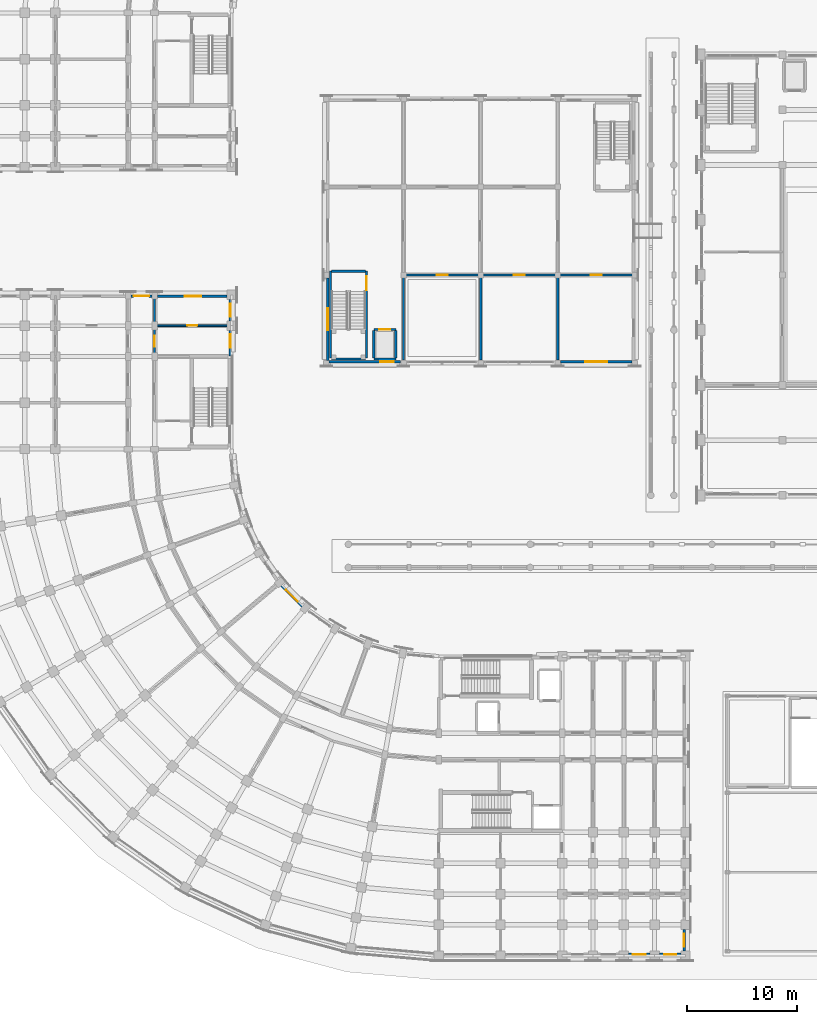
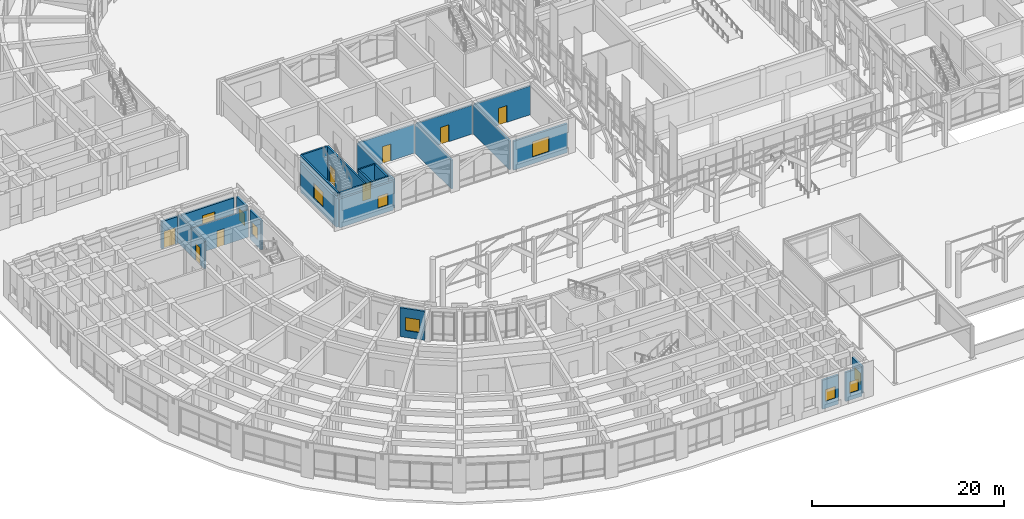
# One storey, part 93 of 135: 28 walls, 10 windows, 8 doors, 18 openings.
"""IFC4 building model written with IfcOpenShell, lengths in metres."""

from ifc_helpers import new_model, si_unit, direction, frame, frame_2d, origin, place, context, subcontext, project, spatial, rectangle, extrude, material, layer, layer_set, type_object, element, fill, save


model = new_model("IFC4")

# Units and contexts
model_context = context("Model", 3, precision=1e-05, world=origin(), true_north=direction((0.0, 1.0)))
body_context = subcontext(model_context, "Body", "Model", "MODEL_VIEW")
ifc_project = project(units=[si_unit("LENGTHUNIT", "METRE"), si_unit("AREAUNIT", "SQUARE_METRE"), si_unit("VOLUMEUNIT", "CUBIC_METRE"), si_unit("PLANEANGLEUNIT", "RADIAN"), si_unit("MASSUNIT", "GRAM", prefix="KILO")], contexts=[model_context])

# Site, building, storey
site_placement = place(None, origin())
site = spatial("IfcSite", under=ifc_project, at=site_placement, CompositionType="ELEMENT")
building_placement = place(site_placement, origin())
building = spatial("IfcBuilding", under=site, at=building_placement, Name="Kiranvali Square Residences", CompositionType="ELEMENT")
storey_placement = place(building_placement, origin())
storey = spatial("IfcBuildingStorey", under=building, at=storey_placement, Name="L00", CompositionType="ELEMENT", Elevation=0.0)

# Wall, opening, door
ifc_material_1 = material(Name="Autoclaved aerated concrete blockwork masonry", Category="masonry")
ifc_layer_1 = layer(ifc_material_1, 0.199951171875)
ifc_layer_set_1 = layer_set([ifc_layer_1], Name="Autoclaved aerated concrete blockwork masonry")
wall_type_1 = type_object("IfcWallType", Name="WL-COR-200", PredefinedType="STANDARD", material=ifc_layer_set_1)
wall_1_placement = place(storey_placement, frame((22.39990234375, 56.60009765625, 0.0), z_axis=(0.0, 0.0, 1.0), x_axis=(0.0, 1.0, 0.0)))
wall_1 = element("IfcWall", 1, at=wall_1_placement, inside=storey, type_object=wall_type_1, Name="L00 architectural wall WL-L00-C-A2CI-0", PredefinedType="STANDARD", context=body_context, shape_type="SweptSolid", body=[
    extrude(rectangle(XDim=2.7998046875, YDim=0.199951171875, at=frame_2d((1.39990234375, 0.0))), origin(), (0.0, 0.0, 1.0), 3.491943359375),
])
opening_1_placement = place(wall_1_placement, frame((0.89990234375, 0.0, 0.0)))
opening_1 = element("IfcOpeningElement", 2, at=opening_1_placement, cuts=wall_1, Name="Opening FD-APT-60", PredefinedType="OPENING", context=body_context, shape_type="SweptSolid", body=[
    extrude(rectangle(XDim=1.0, YDim=2.14990234375, at=frame_2d((0.5, 1.074951171875))), frame((0.0, 0.10986328125, 0.0), z_axis=(0.0, -1.0, 0.0), x_axis=(1.0, 0.0, 0.0)), (0.0, 0.0, 1.0), 0.219970703125),
])
ifc_material_2 = material(Name="Fire-rated acoustic hardwood and mineral-core door assembly", Category="wood")
door_type_1 = type_object("IfcDoorType", Name="DR-APT-1000", OperationType="NOTDEFINED", PredefinedType="DOOR", material=ifc_material_2)
door_1_placement = place(opening_1_placement, origin())
door_1 = element("IfcDoor", 3, at=door_1_placement, inside=storey, type_object=door_type_1, Name="L00 door DR-L00-1781 (DR-APT-1000)", OperationType="SINGLE_SWING_LEFT", OverallHeight=2.14990234375, OverallWidth=1.0, PredefinedType="DOOR", context=body_context, shape_type="SweptSolid", body=[
    extrude(rectangle(XDim=1.0, YDim=2.14990234375, at=frame_2d((0.5, 1.074951171875))), frame((0.0, 0.02490234375, 0.0), z_axis=(0.0, -1.0, 0.0), x_axis=(1.0, 0.0, 0.0)), (0.0, 0.0, 1.0), 0.050048828125),
])
fill(opening_1, door_1)

# Wall
wall_2_placement = place(storey_placement, frame((22.39990234375, 59.39990234375, 0.0), z_axis=(0.0, 0.0, 1.0), x_axis=(0.0, 1.0, 0.0)))
element("IfcWall", 4, at=wall_2_placement, inside=storey, type_object=wall_type_1, Name="L00 architectural wall WL-L00-C-A2CI-1", PredefinedType="STANDARD", context=body_context, shape_type="SweptSolid", body=[
    extrude(rectangle(XDim=2.800048828125, YDim=0.199951171875, at=frame_2d((1.39990234375, 0.0))), origin(), (0.0, 0.0, 1.0), 3.491943359375),
])

# Wall, opening, door
wall_3_placement = place(storey_placement, frame((45.14990234375, 64.0, 0.0), z_axis=(0.0, 0.0, 1.0), x_axis=(1.0, 0.0, 0.0)))
wall_3 = element("IfcWall", 5, at=wall_3_placement, inside=storey, type_object=wall_type_1, Name="L00 architectural wall WL-NR-L00-Y0-1", PredefinedType="STANDARD", context=body_context, shape_type="SweptSolid", body=[
    extrude(rectangle(XDim=6.7001953125, YDim=0.199951171875, at=frame_2d((3.35009765625, 0.0))), origin(), (0.0, 0.0, 1.0), 3.672119140625),
])
opening_2_placement = place(wall_3_placement, frame((2.85009765625, 0.0, 0.0)))
opening_2 = element("IfcOpeningElement", 6, at=opening_2_placement, cuts=wall_3, Name="Opening FD-APT-60", PredefinedType="OPENING", context=body_context, shape_type="SweptSolid", body=[
    extrude(rectangle(XDim=1.0, YDim=2.14990234375, at=frame_2d((0.5, 1.074951171875))), frame((0.0, 0.10986328125, 0.0), z_axis=(0.0, -1.0, 0.0), x_axis=(1.0, 0.0, 0.0)), (0.0, 0.0, 1.0), 0.219970703125),
])
door_2_placement = place(opening_2_placement, frame((1.0, 0.0, 0.0), z_axis=(0.0, 0.0, 1.0), x_axis=(-1.0, 0.0, 0.0)))
door_2 = element("IfcDoor", 7, at=door_2_placement, inside=storey, type_object=door_type_1, Name="L00 door DR-L00-2310 (DR-APT-1000)", OperationType="SINGLE_SWING_RIGHT", OverallHeight=2.14990234375, OverallWidth=1.0, PredefinedType="DOOR", context=body_context, shape_type="SweptSolid", body=[
    extrude(rectangle(XDim=1.0, YDim=2.14990234375, at=frame_2d((0.5, 1.074951171875))), frame((0.0, 0.02490234375, 0.0), z_axis=(0.0, -1.0, 0.0), x_axis=(1.0, 0.0, 0.0)), (0.0, 0.0, 1.0), 0.050048828125),
])
fill(opening_2, door_2)

wall_4_placement = place(storey_placement, frame((52.14990234375, 64.0, 0.0), z_axis=(0.0, 0.0, 1.0), x_axis=(1.0, 0.0, 0.0)))
wall_4 = element("IfcWall", 8, at=wall_4_placement, inside=storey, type_object=wall_type_1, Name="L00 architectural wall WL-NR-L00-Y0-2", PredefinedType="STANDARD", context=body_context, shape_type="SweptSolid", body=[
    extrude(rectangle(XDim=6.7001953125, YDim=0.199951171875, at=frame_2d((3.35009765625, 0.0))), origin(), (0.0, 0.0, 1.0), 3.672119140625),
])
opening_3_placement = place(wall_4_placement, frame((2.85009765625, 0.0, 0.0)))
opening_3 = element("IfcOpeningElement", 9, at=opening_3_placement, cuts=wall_4, Name="Opening FD-APT-60", PredefinedType="OPENING", context=body_context, shape_type="SweptSolid", body=[
    extrude(rectangle(XDim=1.0, YDim=2.14990234375, at=frame_2d((0.5, 1.074951171875))), frame((0.0, 0.10986328125, 0.0), z_axis=(0.0, -1.0, 0.0), x_axis=(1.0, 0.0, 0.0)), (0.0, 0.0, 1.0), 0.219970703125),
])
door_3_placement = place(opening_3_placement, origin())
door_3 = element("IfcDoor", 10, at=door_3_placement, inside=storey, type_object=door_type_1, Name="L00 door DR-L00-2311 (DR-APT-1000)", OperationType="SINGLE_SWING_LEFT", OverallHeight=2.14990234375, OverallWidth=1.0, PredefinedType="DOOR", context=body_context, shape_type="SweptSolid", body=[
    extrude(rectangle(XDim=1.0, YDim=2.14990234375, at=frame_2d((0.5, 1.074951171875))), frame((0.0, 0.02490234375, 0.0), z_axis=(0.0, -1.0, 0.0), x_axis=(1.0, 0.0, 0.0)), (0.0, 0.0, 1.0), 0.050048828125),
])
fill(opening_3, door_3)

wall_5_placement = place(storey_placement, frame((59.14990234375, 64.0, 0.0), z_axis=(0.0, 0.0, 1.0), x_axis=(1.0, 0.0, 0.0)))
wall_5 = element("IfcWall", 11, at=wall_5_placement, inside=storey, type_object=wall_type_1, Name="L00 architectural wall WL-NR-L00-Y0-3", PredefinedType="STANDARD", context=body_context, shape_type="SweptSolid", body=[
    extrude(rectangle(XDim=6.7001953125, YDim=0.199951171875, at=frame_2d((3.35009765625, 0.0))), origin(), (0.0, 0.0, 1.0), 3.672119140625),
])
opening_4_placement = place(wall_5_placement, frame((2.85009765625, 0.0, 0.0)))
opening_4 = element("IfcOpeningElement", 12, at=opening_4_placement, cuts=wall_5, Name="Opening FD-APT-60", PredefinedType="OPENING", context=body_context, shape_type="SweptSolid", body=[
    extrude(rectangle(XDim=1.0, YDim=2.14990234375, at=frame_2d((0.5, 1.074951171875))), frame((0.0, 0.10986328125, 0.0), z_axis=(0.0, -1.0, 0.0), x_axis=(1.0, 0.0, 0.0)), (0.0, 0.0, 1.0), 0.219970703125),
])
door_4_placement = place(opening_4_placement, frame((1.0, 0.0, 0.0), z_axis=(0.0, 0.0, 1.0), x_axis=(-1.0, 0.0, 0.0)))
door_4 = element("IfcDoor", 13, at=door_4_placement, inside=storey, type_object=door_type_1, Name="L00 door DR-L00-2312 (DR-APT-1000)", OperationType="SINGLE_SWING_RIGHT", OverallHeight=2.14990234375, OverallWidth=1.0, PredefinedType="DOOR", context=body_context, shape_type="SweptSolid", body=[
    extrude(rectangle(XDim=1.0, YDim=2.14990234375, at=frame_2d((0.5, 1.074951171875))), frame((0.0, 0.02490234375, 0.0), z_axis=(0.0, -1.0, 0.0), x_axis=(1.0, 0.0, 0.0)), (0.0, 0.0, 1.0), 0.050048828125),
])
fill(opening_4, door_4)

# Walls
ifc_layer_2 = layer(ifc_material_1, 0.219970703125)
ifc_layer_set_2 = layer_set([ifc_layer_2], Name="Autoclaved aerated concrete blockwork masonry")
wall_type_2 = type_object("IfcWallType", Name="WL-DEM-220", PredefinedType="STANDARD", material=ifc_layer_set_2)
for number, where, z_axis, x_axis, name in (
    (14, (45.0, 56.300048828125, 0.0), (0.0, 0.0, 1.0), (0.0, 1.0, 0.0), "L00 architectural wall WL-NR-L00-X1-S"),
    (15, (52.0, 56.300048828125, 0.0), (0.0, 0.0, 1.0), (0.0, 1.0, 0.0), "L00 architectural wall WL-NR-L00-X2-S"),
    (16, (59.0, 56.300048828125, 0.0), (0.0, 0.0, 1.0), (0.0, 1.0, 0.0), "L00 architectural wall WL-NR-L00-X3-S"),
):
    element("IfcWall", number, at=place(storey_placement, frame(where, z_axis=z_axis, x_axis=x_axis)), inside=storey, type_object=wall_type_2, Name=name, PredefinedType="STANDARD", context=body_context, shape_type="SweptSolid", body=[
        extrude(rectangle(XDim=7.599853515625, YDim=0.219970703125, at=frame_2d((3.7998046875, 0.0))), origin(), (0.0, 0.0, 1.0), 3.672119140625),
    ])

# Wall, opening, window
ifc_material_3 = material(Name="Breathable lime-rendered clay brick masonry", Category="masonry")
ifc_layer_3 = layer(ifc_material_3, 0.25)
ifc_layer_set_3 = layer_set([ifc_layer_3], Name="Breathable lime-rendered clay brick masonry")
wall_type_3 = type_object("IfcWallType", Name="WL-EXT-250", PredefinedType="STANDARD", material=ifc_layer_set_3)
wall_6_placement = place(storey_placement, frame((35.8125, 33.9248046875, 0.0), z_axis=(0.0, 0.0, 1.0), x_axis=(-0.707106781187, 0.707106781187, 0.0)))
wall_6 = element("IfcWall", 17, at=wall_6_placement, inside=storey, type_object=wall_type_3, Name="L00 exterior wall C-L00-GDN-04", PredefinedType="STANDARD", context=body_context, shape_type="SweptSolid", body=[
    extrude(rectangle(XDim=2.669677734375, YDim=0.25, at=frame_2d((1.3349609375, 0.0))), origin(), (0.0, 0.0, 1.0), 3.69189453125),
])
opening_5_placement = place(wall_6_placement, frame((0.584716796875, 0.0, 0.8798828125)))
opening_5 = element("IfcOpeningElement", 18, at=opening_5_placement, cuts=wall_6, Name="Opening W-05", PredefinedType="OPENING", context=body_context, shape_type="SweptSolid", body=[
    extrude(rectangle(XDim=1.5, YDim=1.64990234375, at=frame_2d((0.75, 0.824951171875))), frame((0.0, 0.135009765625, 0.0), z_axis=(0.0, -1.0, 0.0), x_axis=(1.0, 0.0, 0.0)), (0.0, 0.0, 1.0), 0.27001953125),
])
ifc_material_4 = material(Name="Solar-control low-e double glazing", Category="glass")
window_type_1 = type_object("IfcWindowType", Name="WIN-RES-1500x1650", PartitioningType="DOUBLE_PANEL_VERTICAL", PredefinedType="WINDOW", material=ifc_material_4)
window_1_placement = place(opening_5_placement, origin())
window_1 = element("IfcWindow", 19, at=window_1_placement, inside=storey, type_object=window_type_1, Name="L00 recessed window C-L00-GDN-04", OverallHeight=1.64990234375, OverallWidth=1.5, PartitioningType="DOUBLE_PANEL_VERTICAL", PredefinedType="WINDOW", context=body_context, shape_type="SweptSolid", body=[
    extrude(rectangle(XDim=1.5, YDim=1.64990234375, at=frame_2d((0.75, 0.824951171875))), frame((0.0, 0.030029296875, 0.0), z_axis=(0.0, -1.0, 0.0), x_axis=(1.0, 0.0, 0.0)), (0.0, 0.0, 1.0), 0.06005859375),
])
fill(opening_5, window_1)

wall_7_placement = place(storey_placement, frame((65.428466796875, 2.324951171875, 0.0), z_axis=(0.0, 0.0, 1.0), x_axis=(1.0, 0.0, 0.0)))
wall_7 = element("IfcWall", 20, at=wall_7_placement, inside=storey, type_object=wall_type_3, Name="L00 exterior wall C-L00-A1O-4", PredefinedType="STANDARD", context=body_context, shape_type="SweptSolid", body=[
    extrude(rectangle(XDim=1.943115234375, YDim=0.25, at=frame_2d((0.9716796875, 0.0))), origin(), (0.0, 0.0, 1.0), 3.69189453125),
])
opening_6_placement = place(wall_7_placement, frame((0.37158203125, 0.0, 0.8798828125)))
opening_6 = element("IfcOpeningElement", 21, at=opening_6_placement, cuts=wall_7, Name="Opening W-06", PredefinedType="OPENING", context=body_context, shape_type="SweptSolid", body=[
    extrude(rectangle(XDim=1.199951171875, YDim=1.5, at=frame_2d((0.60009765625, 0.75))), frame((0.0, 0.135009765625, 0.0), z_axis=(0.0, -1.0, 0.0), x_axis=(1.0, 0.0, 0.0)), (0.0, 0.0, 1.0), 0.27001953125),
])
window_type_2 = type_object("IfcWindowType", Name="WIN-RES-1200x1500", PartitioningType="SINGLE_PANEL", PredefinedType="WINDOW", material=ifc_material_4)
window_2_placement = place(opening_6_placement, origin())
window_2 = element("IfcWindow", 22, at=window_2_placement, inside=storey, type_object=window_type_2, Name="L00 recessed window C-L00-A1O-4", OverallHeight=1.5, OverallWidth=1.199951171875, PartitioningType="SINGLE_PANEL", PredefinedType="WINDOW", context=body_context, shape_type="SweptSolid", body=[
    extrude(rectangle(XDim=1.199951171875, YDim=1.5, at=frame_2d((0.60009765625, 0.75))), frame((0.0, 0.030029296875, 0.0), z_axis=(0.0, -1.0, 0.0), x_axis=(1.0, 0.0, 0.0)), (0.0, 0.0, 1.0), 0.06005859375),
])
fill(opening_6, window_2)

wall_8_placement = place(storey_placement, frame((68.228515625, 2.324951171875, 0.0), z_axis=(0.0, 0.0, 1.0), x_axis=(1.0, 0.0, 0.0)))
wall_8 = element("IfcWall", 23, at=wall_8_placement, inside=storey, type_object=wall_type_3, Name="L00 exterior wall C-L00-A1O-5", PredefinedType="STANDARD", context=body_context, shape_type="SweptSolid", body=[
    extrude(rectangle(XDim=1.94287109375, YDim=0.25, at=frame_2d((0.971435546875, 0.0))), origin(), (0.0, 0.0, 1.0), 3.69189453125),
])
opening_7_placement = place(wall_8_placement, frame((0.42138671875, 0.0, 0.8798828125)))
opening_7 = element("IfcOpeningElement", 24, at=opening_7_placement, cuts=wall_8, Name="Opening W-15", PredefinedType="OPENING", context=body_context, shape_type="SweptSolid", body=[
    extrude(rectangle(XDim=1.10009765625, YDim=1.449951171875, at=frame_2d((0.550048828125, 0.72509765625))), frame((0.0, 0.135009765625, 0.0), z_axis=(0.0, -1.0, 0.0), x_axis=(1.0, 0.0, 0.0)), (0.0, 0.0, 1.0), 0.27001953125),
])
window_type_3 = type_object("IfcWindowType", Name="WIN-RES-1100x1450", PartitioningType="SINGLE_PANEL", PredefinedType="WINDOW", material=ifc_material_4)
window_3_placement = place(opening_7_placement, origin())
window_3 = element("IfcWindow", 25, at=window_3_placement, inside=storey, type_object=window_type_3, Name="L00 recessed window C-L00-A1O-5", OverallHeight=1.449951171875, OverallWidth=1.10009765625, PartitioningType="SINGLE_PANEL", PredefinedType="WINDOW", context=body_context, shape_type="SweptSolid", body=[
    extrude(rectangle(XDim=1.10009765625, YDim=1.449951171875, at=frame_2d((0.550048828125, 0.72509765625))), frame((0.0, 0.030029296875, 0.0), z_axis=(0.0, -1.0, 0.0), x_axis=(1.0, 0.0, 0.0)), (0.0, 0.0, 1.0), 0.06005859375),
])
fill(opening_7, window_3)

wall_9_placement = place(storey_placement, frame((70.47509765625, 4.580078125, 0.0), z_axis=(0.0, 0.0, 1.0), x_axis=(0.0, -1.0, 0.0)))
wall_9 = element("IfcWall", 26, at=wall_9_placement, inside=storey, type_object=wall_type_3, Name="L00 exterior wall C-L00-A1END-6", PredefinedType="STANDARD", context=body_context, shape_type="SweptSolid", body=[
    extrude(rectangle(XDim=1.9599609375, YDim=0.25, at=frame_2d((0.97998046875, 0.0))), origin(), (0.0, 0.0, 1.0), 3.491943359375),
])
opening_8_placement = place(wall_9_placement, frame((0.3798828125, 0.0, 0.8798828125)))
opening_8 = element("IfcOpeningElement", 27, at=opening_8_placement, cuts=wall_9, Name="Opening W-06", PredefinedType="OPENING", context=body_context, shape_type="SweptSolid", body=[
    extrude(rectangle(XDim=1.199951171875, YDim=1.5, at=frame_2d((0.60009765625, 0.75))), frame((0.0, 0.135009765625, 0.0), z_axis=(0.0, -1.0, 0.0), x_axis=(1.0, 0.0, 0.0)), (0.0, 0.0, 1.0), 0.27001953125),
])
window_4_placement = place(opening_8_placement, origin())
window_4 = element("IfcWindow", 28, at=window_4_placement, inside=storey, type_object=window_type_2, Name="L00 recessed window C-L00-A1END-6", OverallHeight=1.5, OverallWidth=1.199951171875, PartitioningType="SINGLE_PANEL", PredefinedType="WINDOW", context=body_context, shape_type="SweptSolid", body=[
    extrude(rectangle(XDim=1.199951171875, YDim=1.5, at=frame_2d((0.60009765625, 0.75))), frame((0.0, 0.030029296875, 0.0), z_axis=(0.0, -1.0, 0.0), x_axis=(1.0, 0.0, 0.0)), (0.0, 0.0, 1.0), 0.06005859375),
])
fill(opening_8, window_4)

wall_10_placement = place(storey_placement, frame((29.27490234375, 56.62841796875, 0.0), z_axis=(0.0, 0.0, 1.0), x_axis=(0.0, 1.0, 0.0)))
wall_10 = element("IfcWall", 29, at=wall_10_placement, inside=storey, type_object=wall_type_3, Name="L00 exterior wall C-L00-A2I-0", PredefinedType="STANDARD", context=body_context, shape_type="SweptSolid", body=[
    extrude(rectangle(XDim=2.3515625, YDim=0.25, at=frame_2d((1.17578125, 0.0))), origin(), (0.0, 0.0, 1.0), 3.69189453125),
])
opening_9_placement = place(wall_10_placement, frame((0.771484375, 0.0, 0.8798828125)))
opening_9 = element("IfcOpeningElement", 30, at=opening_9_placement, cuts=wall_10, Name="Opening W-06", PredefinedType="OPENING", context=body_context, shape_type="SweptSolid", body=[
    extrude(rectangle(XDim=1.199951171875, YDim=1.5, at=frame_2d((0.60009765625, 0.75))), frame((0.0, 0.135009765625, 0.0), z_axis=(0.0, -1.0, 0.0), x_axis=(1.0, 0.0, 0.0)), (0.0, 0.0, 1.0), 0.27001953125),
])
window_5_placement = place(opening_9_placement, origin())
window_5 = element("IfcWindow", 31, at=window_5_placement, inside=storey, type_object=window_type_2, Name="L00 recessed window C-L00-A2I-0", OverallHeight=1.5, OverallWidth=1.199951171875, PartitioningType="SINGLE_PANEL", PredefinedType="WINDOW", context=body_context, shape_type="SweptSolid", body=[
    extrude(rectangle(XDim=1.199951171875, YDim=1.5, at=frame_2d((0.60009765625, 0.75))), frame((0.0, 0.030029296875, 0.0), z_axis=(0.0, -1.0, 0.0), x_axis=(1.0, 0.0, 0.0)), (0.0, 0.0, 1.0), 0.06005859375),
])
fill(opening_9, window_5)

wall_11_placement = place(storey_placement, frame((29.27490234375, 59.820068359375, 0.0), z_axis=(0.0, 0.0, 1.0), x_axis=(0.0, 1.0, 0.0)))
wall_11 = element("IfcWall", 32, at=wall_11_placement, inside=storey, type_object=wall_type_3, Name="L00 exterior wall C-L00-A2I-1", PredefinedType="STANDARD", context=body_context, shape_type="SweptSolid", body=[
    extrude(rectangle(XDim=1.9599609375, YDim=0.25, at=frame_2d((0.97998046875, 0.0))), origin(), (0.0, 0.0, 1.0), 3.69189453125),
])
opening_10_placement = place(wall_11_placement, frame((0.3798828125, 0.0, 0.8798828125)))
opening_10 = element("IfcOpeningElement", 33, at=opening_10_placement, cuts=wall_11, Name="Opening W-06", PredefinedType="OPENING", context=body_context, shape_type="SweptSolid", body=[
    extrude(rectangle(XDim=1.199951171875, YDim=1.5, at=frame_2d((0.60009765625, 0.75))), frame((0.0, 0.135009765625, 0.0), z_axis=(0.0, -1.0, 0.0), x_axis=(1.0, 0.0, 0.0)), (0.0, 0.0, 1.0), 0.27001953125),
])
window_6_placement = place(opening_10_placement, origin())
window_6 = element("IfcWindow", 34, at=window_6_placement, inside=storey, type_object=window_type_2, Name="L00 recessed window C-L00-A2I-1", OverallHeight=1.5, OverallWidth=1.199951171875, PartitioningType="SINGLE_PANEL", PredefinedType="WINDOW", context=body_context, shape_type="SweptSolid", body=[
    extrude(rectangle(XDim=1.199951171875, YDim=1.5, at=frame_2d((0.60009765625, 0.75))), frame((0.0, 0.030029296875, 0.0), z_axis=(0.0, -1.0, 0.0), x_axis=(1.0, 0.0, 0.0)), (0.0, 0.0, 1.0), 0.06005859375),
])
fill(opening_10, window_6)

wall_12_placement = place(storey_placement, frame((28.97998046875, 62.074951171875, 0.0), z_axis=(0.0, 0.0, 1.0), x_axis=(-1.0, 0.0, 0.0)))
wall_12 = element("IfcWall", 35, at=wall_12_placement, inside=storey, type_object=wall_type_3, Name="L00 exterior wall C-L00-A2END-0", PredefinedType="STANDARD", context=body_context, shape_type="SweptSolid", body=[
    extrude(rectangle(XDim=6.326416015625, YDim=0.25, at=frame_2d((3.1630859375, 0.0))), origin(), (0.0, 0.0, 1.0), 3.491943359375),
])
opening_11_placement = place(wall_12_placement, frame((2.330078125, 0.0, 0.8798828125)))
opening_11 = element("IfcOpeningElement", 36, at=opening_11_placement, cuts=wall_12, Name="Opening W-05", PredefinedType="OPENING", context=body_context, shape_type="SweptSolid", body=[
    extrude(rectangle(XDim=1.5, YDim=1.64990234375, at=frame_2d((0.75, 0.824951171875))), frame((0.0, 0.135009765625, 0.0), z_axis=(0.0, -1.0, 0.0), x_axis=(1.0, 0.0, 0.0)), (0.0, 0.0, 1.0), 0.27001953125),
])
window_7_placement = place(opening_11_placement, origin())
window_7 = element("IfcWindow", 37, at=window_7_placement, inside=storey, type_object=window_type_1, Name="L00 recessed window C-L00-A2END-0", OverallHeight=1.64990234375, OverallWidth=1.5, PartitioningType="DOUBLE_PANEL_VERTICAL", PredefinedType="WINDOW", context=body_context, shape_type="SweptSolid", body=[
    extrude(rectangle(XDim=1.5, YDim=1.64990234375, at=frame_2d((0.75, 0.824951171875))), frame((0.0, 0.030029296875, 0.0), z_axis=(0.0, -1.0, 0.0), x_axis=(1.0, 0.0, 0.0)), (0.0, 0.0, 1.0), 0.06005859375),
])
fill(opening_11, window_7)

# Wall, opening, door
wall_13_placement = place(storey_placement, frame((22.146484375, 62.074951171875, 0.0), z_axis=(0.0, 0.0, 1.0), x_axis=(-1.0, 0.0, 0.0)))
wall_13 = element("IfcWall", 38, at=wall_13_placement, inside=storey, type_object=wall_type_3, Name="L00 exterior wall C-L00-A2END-1", PredefinedType="STANDARD", context=body_context, shape_type="SweptSolid", body=[
    extrude(rectangle(XDim=1.89306640625, YDim=0.25, at=frame_2d((0.946533203125, 0.0))), origin(), (0.0, 0.0, 1.0), 3.491943359375),
])
opening_12_placement = place(wall_13_placement, frame((0.25, 0.0, 0.0)))
opening_12 = element("IfcOpeningElement", 39, at=opening_12_placement, cuts=wall_13, Name="Opening ED-EX-140", PredefinedType="OPENING", context=body_context, shape_type="SweptSolid", body=[
    extrude(rectangle(XDim=1.39990234375, YDim=2.14990234375, at=frame_2d((0.699951171875, 1.074951171875))), frame((0.0, 0.135009765625, 0.0), z_axis=(0.0, -1.0, 0.0), x_axis=(1.0, 0.0, 0.0)), (0.0, 0.0, 1.0), 0.27001953125),
])
door_type_2 = type_object("IfcDoorType", Name="DR-EXIT-1400", OperationType="NOTDEFINED", PredefinedType="DOOR", material=ifc_material_2)
door_5_placement = place(opening_12_placement, frame((1.39990234375, 0.0, 0.0), z_axis=(0.0, 0.0, 1.0), x_axis=(-1.0, 0.0, 0.0)))
door_5 = element("IfcDoor", 40, at=door_5_placement, inside=storey, type_object=door_type_2, Name="Block C street gateway final exit door", OperationType="SINGLE_SWING_LEFT", OverallHeight=2.14990234375, OverallWidth=1.39990234375, PredefinedType="DOOR", context=body_context, shape_type="SweptSolid", body=[
    extrude(rectangle(XDim=1.39990234375, YDim=2.14990234375, at=frame_2d((0.699951171875, 1.074951171875))), frame((0.0, 0.02490234375, 0.0), z_axis=(0.0, -1.0, 0.0), x_axis=(1.0, 0.0, 0.0)), (0.0, 0.0, 1.0), 0.050048828125),
])
fill(opening_12, door_5)

# Wall, opening, window
wall_14_placement = place(storey_placement, frame((38.25341796875, 56.125, 0.0), z_axis=(0.0, 0.0, 1.0), x_axis=(1.0, 0.0, 0.0)))
wall_14 = element("IfcWall", 41, at=wall_14_placement, inside=storey, type_object=wall_type_3, Name="L00 exterior wall NR-L00-S-0", PredefinedType="STANDARD", context=body_context, shape_type="SweptSolid", body=[
    extrude(rectangle(XDim=6.4931640625, YDim=0.25, at=frame_2d((3.24658203125, 0.0))), origin(), (0.0, 0.0, 1.0), 3.672119140625),
])
opening_13_placement = place(wall_14_placement, frame((4.646484375, 0.0, 0.8798828125)))
opening_13 = element("IfcOpeningElement", 42, at=opening_13_placement, cuts=wall_14, Name="Opening W-06", PredefinedType="OPENING", context=body_context, shape_type="SweptSolid", body=[
    extrude(rectangle(XDim=1.199951171875, YDim=1.5, at=frame_2d((0.60009765625, 0.75))), frame((0.0, 0.135009765625, 0.0), z_axis=(0.0, -1.0, 0.0), x_axis=(1.0, 0.0, 0.0)), (0.0, 0.0, 1.0), 0.27001953125),
])
window_8_placement = place(opening_13_placement, origin())
window_8 = element("IfcWindow", 43, at=window_8_placement, inside=storey, type_object=window_type_2, Name="L00 recessed window NR-L00-S-0", OverallHeight=1.5, OverallWidth=1.199951171875, PartitioningType="SINGLE_PANEL", PredefinedType="WINDOW", context=body_context, shape_type="SweptSolid", body=[
    extrude(rectangle(XDim=1.199951171875, YDim=1.5, at=frame_2d((0.60009765625, 0.75))), frame((0.0, 0.030029296875, 0.0), z_axis=(0.0, -1.0, 0.0), x_axis=(1.0, 0.0, 0.0)), (0.0, 0.0, 1.0), 0.06005859375),
])
fill(opening_13, window_8)

wall_15_placement = place(storey_placement, frame((59.25341796875, 56.125, 0.0), z_axis=(0.0, 0.0, 1.0), x_axis=(1.0, 0.0, 0.0)))
wall_15 = element("IfcWall", 44, at=wall_15_placement, inside=storey, type_object=wall_type_3, Name="L00 exterior wall NR-L00-S-3", PredefinedType="STANDARD", context=body_context, shape_type="SweptSolid", body=[
    extrude(rectangle(XDim=6.4931640625, YDim=0.25, at=frame_2d((3.24658203125, 0.0))), origin(), (0.0, 0.0, 1.0), 3.672119140625),
])
opening_14_placement = place(wall_15_placement, frame((2.24658203125, 0.0, 0.8798828125)))
opening_14 = element("IfcOpeningElement", 45, at=opening_14_placement, cuts=wall_15, Name="Opening W-08", PredefinedType="OPENING", context=body_context, shape_type="SweptSolid", body=[
    extrude(rectangle(XDim=2.0, YDim=1.949951171875, at=frame_2d((1.0, 0.97509765625))), frame((0.0, 0.135009765625, 0.0), z_axis=(0.0, -1.0, 0.0), x_axis=(1.0, 0.0, 0.0)), (0.0, 0.0, 1.0), 0.27001953125),
])
window_type_4 = type_object("IfcWindowType", Name="WIN-PAV-2000x1950", PartitioningType="TRIPLE_PANEL_VERTICAL", PredefinedType="WINDOW", material=ifc_material_4)
window_9_placement = place(opening_14_placement, origin())
window_9 = element("IfcWindow", 46, at=window_9_placement, inside=storey, type_object=window_type_4, Name="L00 recessed window NR-L00-S-3", OverallHeight=1.949951171875, OverallWidth=2.0, PartitioningType="TRIPLE_PANEL_VERTICAL", PredefinedType="WINDOW", context=body_context, shape_type="SweptSolid", body=[
    extrude(rectangle(XDim=2.0, YDim=1.949951171875, at=frame_2d((1.0, 0.97509765625))), frame((0.0, 0.030029296875, 0.0), z_axis=(0.0, -1.0, 0.0), x_axis=(1.0, 0.0, 0.0)), (0.0, 0.0, 1.0), 0.06005859375),
])
fill(opening_14, window_9)

wall_16_placement = place(storey_placement, frame((38.125, 56.25341796875, 0.0), z_axis=(0.0, 0.0, 1.0), x_axis=(0.0, 1.0, 0.0)))
wall_16 = element("IfcWall", 47, at=wall_16_placement, inside=storey, type_object=wall_type_3, Name="L00 exterior wall NR-L00-W-0", PredefinedType="STANDARD", context=body_context, shape_type="SweptSolid", body=[
    extrude(rectangle(XDim=7.4931640625, YDim=0.25, at=frame_2d((3.74658203125, 0.0))), origin(), (0.0, 0.0, 1.0), 3.672119140625),
])
opening_15_placement = place(wall_16_placement, frame((2.74658203125, 0.0, 0.8798828125)))
opening_15 = element("IfcOpeningElement", 48, at=opening_15_placement, cuts=wall_16, Name="Opening W-08", PredefinedType="OPENING", context=body_context, shape_type="SweptSolid", body=[
    extrude(rectangle(XDim=2.0, YDim=1.949951171875, at=frame_2d((1.0, 0.97509765625))), frame((0.0, 0.135009765625, 0.0), z_axis=(0.0, -1.0, 0.0), x_axis=(1.0, 0.0, 0.0)), (0.0, 0.0, 1.0), 0.27001953125),
])
window_10_placement = place(opening_15_placement, origin())
window_10 = element("IfcWindow", 49, at=window_10_placement, inside=storey, type_object=window_type_4, Name="L00 recessed window NR-L00-W-0", OverallHeight=1.949951171875, OverallWidth=2.0, PartitioningType="TRIPLE_PANEL_VERTICAL", PredefinedType="WINDOW", context=body_context, shape_type="SweptSolid", body=[
    extrude(rectangle(XDim=2.0, YDim=1.949951171875, at=frame_2d((1.0, 0.97509765625))), frame((0.0, 0.030029296875, 0.0), z_axis=(0.0, -1.0, 0.0), x_axis=(1.0, 0.0, 0.0)), (0.0, 0.0, 1.0), 0.06005859375),
])
fill(opening_15, window_10)

# Wall, opening, door
ifc_material_5 = material(Name="Acoustic gypsum board drylined partition", Category="gypsum")
ifc_layer_4 = layer(ifc_material_5, 0.14990234375)
ifc_layer_set_4 = layer_set([ifc_layer_4], Name="Acoustic gypsum board drylined partition")
wall_type_4 = type_object("IfcWallType", Name="WL-PRT-150", PredefinedType="PARTITIONING", material=ifc_layer_set_4)
wall_17_placement = place(storey_placement, frame((29.199951171875, 59.39990234375, 0.0), z_axis=(0.0, 0.0, 1.0), x_axis=(-1.0, 0.0, 0.0)))
wall_17 = element("IfcWall", 50, at=wall_17_placement, inside=storey, type_object=wall_type_4, Name="L00 architectural wall WL-L00-C-A2TI-1", PredefinedType="PARTITIONING", context=body_context, shape_type="SweptSolid", body=[
    extrude(rectangle(XDim=6.75, YDim=0.14990234375, at=frame_2d((3.375, 0.0))), origin(), (0.0, 0.0, 1.0), 3.491943359375),
])
opening_16_placement = place(wall_17_placement, frame((2.925048828125, 0.0, 0.0)))
opening_16 = element("IfcOpeningElement", 51, at=opening_16_placement, cuts=wall_17, Name="Opening ID-1", PredefinedType="OPENING", context=body_context, shape_type="SweptSolid", body=[
    extrude(rectangle(XDim=0.89990234375, YDim=2.10009765625, at=frame_2d((0.449951171875, 1.050048828125))), frame((0.0, 0.0849609375, 0.0), z_axis=(0.0, -1.0, 0.0), x_axis=(1.0, 0.0, 0.0)), (0.0, 0.0, 1.0), 0.169921875),
])
ifc_material_6 = material(Name="Solid seasoned teak hardwood joinery", Category="wood")
door_type_3 = type_object("IfcDoorType", Name="DR-INT-900", OperationType="NOTDEFINED", PredefinedType="DOOR", material=ifc_material_6)
door_6_placement = place(opening_16_placement, origin())
door_6 = element("IfcDoor", 52, at=door_6_placement, inside=storey, type_object=door_type_3, Name="L00 door DR-L00-1785 (DR-INT-900)", OperationType="SINGLE_SWING_LEFT", OverallHeight=2.10009765625, OverallWidth=0.89990234375, PredefinedType="DOOR", context=body_context, shape_type="SweptSolid", body=[
    extrude(rectangle(XDim=0.89990234375, YDim=2.10009765625, at=frame_2d((0.449951171875, 1.050048828125))), frame((0.0, 0.02490234375, 0.0), z_axis=(0.0, -1.0, 0.0), x_axis=(1.0, 0.0, 0.0)), (0.0, 0.0, 1.0), 0.050048828125),
])
fill(opening_16, door_6)

# Walls
ifc_layer_5 = layer(ifc_material_1, 0.199951171875)
ifc_layer_set_5 = layer_set([ifc_layer_5], Name="Autoclaved aerated concrete blockwork masonry")
wall_type_5 = type_object("IfcWallType", Name="WL-SHF-200", PredefinedType="STANDARD", material=ifc_layer_set_5)
wall_18_placement = place(storey_placement, frame((38.3798828125, 56.47998046875, 0.0), z_axis=(0.0, 0.0, 1.0), x_axis=(0.0, 1.0, 0.0)))
element("IfcWall", 53, at=wall_18_placement, inside=storey, type_object=wall_type_5, Name="L00 architectural wall WL-NR-L00-S1W", PredefinedType="STANDARD", context=body_context, shape_type="SweptSolid", body=[
    extrude(rectangle(XDim=7.8701171875, YDim=0.199951171875, at=frame_2d((3.93505859375, 0.0))), origin(), (0.0, 0.0, 1.0), 4.239990234375),
])
for number, where, z_axis, x_axis, name in (
    (54, (38.47998046875, 56.3701171875, 0.0), (0.0, 0.0, 1.0), (1.0, 0.0, 0.0), "L00 architectural wall WL-NR-L00-S1S"),
    (55, (38.47998046875, 64.35009765625, 0.0), (0.0, 0.0, 1.0), (1.0, 0.0, 0.0), "L00 architectural wall WL-NR-L00-S1N"),
):
    element("IfcWall", number, at=place(storey_placement, frame(where, z_axis=z_axis, x_axis=x_axis)), inside=storey, type_object=wall_type_5, Name=name, PredefinedType="STANDARD", context=body_context, shape_type="SweptSolid", body=[
        extrude(rectangle(XDim=3.070068359375, YDim=0.199951171875, at=frame_2d((1.53515625, 0.0))), origin(), (0.0, 0.0, 1.0), 4.239990234375),
    ])

# Wall, opening, door
wall_19_placement = place(storey_placement, frame((41.64990234375, 56.47998046875, 0.0), z_axis=(0.0, 0.0, 1.0), x_axis=(0.0, 1.0, 0.0)))
wall_19 = element("IfcWall", 56, at=wall_19_placement, inside=storey, type_object=wall_type_5, Name="L00 architectural wall WL-NR-L00-S1E", PredefinedType="STANDARD", context=body_context, shape_type="SweptSolid", body=[
    extrude(rectangle(XDim=7.8701171875, YDim=0.199951171875, at=frame_2d((3.93505859375, 0.0))), origin(), (0.0, 0.0, 1.0), 4.239990234375),
])
opening_17_placement = place(wall_19_placement, frame((6.148193359375, 0.0, 0.0)))
opening_17 = element("IfcOpeningElement", 57, at=opening_17_placement, cuts=wall_19, Name="Opening FD-ST-120", PredefinedType="OPENING", context=body_context, shape_type="SweptSolid", body=[
    extrude(rectangle(XDim=1.239990234375, YDim=2.14990234375, at=frame_2d((0.6201171875, 1.074951171875))), frame((0.0, 0.10986328125, 0.0), z_axis=(0.0, -1.0, 0.0), x_axis=(1.0, 0.0, 0.0)), (0.0, 0.0, 1.0), 0.219970703125),
])
door_type_4 = type_object("IfcDoorType", Name="DR-FD120-1200", OperationType="NOTDEFINED", PredefinedType="DOOR", material=ifc_material_2)
door_7_placement = place(opening_17_placement, origin())
door_7 = element("IfcDoor", 58, at=door_7_placement, inside=storey, type_object=door_type_4, Name="L00 door DR-L00-2307 (DR-FD120-1200)", OperationType="SINGLE_SWING_LEFT", OverallHeight=2.14990234375, OverallWidth=1.239990234375, PredefinedType="DOOR", context=body_context, shape_type="SweptSolid", body=[
    extrude(rectangle(XDim=1.239990234375, YDim=2.14990234375, at=frame_2d((0.6201171875, 1.074951171875))), frame((0.0, 0.02490234375, 0.0), z_axis=(0.0, -1.0, 0.0), x_axis=(1.0, 0.0, 0.0)), (0.0, 0.0, 1.0), 0.050048828125),
])
fill(opening_17, door_7)

wall_20_placement = place(storey_placement, frame((42.300048828125, 59.050048828125, 0.0), z_axis=(0.0, 0.0, 1.0), x_axis=(1.0, 0.0, 0.0)))
wall_20 = element("IfcWall", 59, at=wall_20_placement, inside=storey, type_object=wall_type_5, Name="L00 architectural wall WL-NR-L00-LFN", PredefinedType="STANDARD", context=body_context, shape_type="SweptSolid", body=[
    extrude(rectangle(XDim=2.0, YDim=0.199951171875, at=frame_2d((1.0, 0.0))), origin(), (0.0, 0.0, 1.0), 4.239990234375),
])
opening_18_placement = place(wall_20_placement, frame((0.489990234375, 0.0, 0.0)))
opening_18 = element("IfcOpeningElement", 60, at=opening_18_placement, cuts=wall_20, Name="Opening LD-PAX-100", PredefinedType="OPENING", context=body_context, shape_type="SweptSolid", body=[
    extrude(rectangle(XDim=1.02001953125, YDim=2.14990234375, at=frame_2d((0.510009765625, 1.074951171875))), frame((0.0, 0.10986328125, 0.0), z_axis=(0.0, -1.0, 0.0), x_axis=(1.0, 0.0, 0.0)), (0.0, 0.0, 1.0), 0.219970703125),
])
door_type_5 = type_object("IfcDoorType", Name="DR-LIFT-1000", OperationType="SLIDING_TO_RIGHT", PredefinedType="DOOR", material=ifc_material_2)
door_8_placement = place(opening_18_placement, origin())
door_8 = element("IfcDoor", 61, at=door_8_placement, inside=storey, type_object=door_type_5, Name="L00 door DR-L00-2309 (DR-LIFT-1000)", OperationType="SLIDING_TO_RIGHT", OverallHeight=2.14990234375, OverallWidth=1.02001953125, PredefinedType="DOOR", context=body_context, shape_type="SweptSolid", body=[
    extrude(rectangle(XDim=1.02001953125, YDim=2.14990234375, at=frame_2d((0.510009765625, 1.074951171875))), frame((0.0, 0.02490234375, 0.0), z_axis=(0.0, -1.0, 0.0), x_axis=(1.0, 0.0, 0.0)), (0.0, 0.0, 1.0), 0.050048828125),
])
fill(opening_18, door_8)

# Walls
wall_21_placement = place(storey_placement, frame((42.300048828125, 56.3701171875, 0.0), z_axis=(0.0, 0.0, 1.0), x_axis=(1.0, 0.0, 0.0)))
element("IfcWall", 62, at=wall_21_placement, inside=storey, type_object=wall_type_5, Name="L00 architectural wall WL-NR-L00-LFS", PredefinedType="STANDARD", context=body_context, shape_type="SweptSolid", body=[
    extrude(rectangle(XDim=2.0, YDim=0.199951171875, at=frame_2d((1.0, 0.0))), origin(), (0.0, 0.0, 1.0), 4.239990234375),
])
for number, where, z_axis, x_axis, name in (
    (63, (42.300048828125, 56.47998046875, 0.0), (0.0, 0.0, 1.0), (0.0, 1.0, 0.0), "L00 architectural wall WL-NR-L00-LFW"),
    (64, (44.300048828125, 56.47998046875, 0.0), (0.0, 0.0, 1.0), (0.0, 1.0, 0.0), "L00 architectural wall WL-NR-L00-LFE"),
):
    element("IfcWall", number, at=place(storey_placement, frame(where, z_axis=z_axis, x_axis=x_axis)), inside=storey, type_object=wall_type_5, Name=name, PredefinedType="STANDARD", context=body_context, shape_type="SweptSolid", body=[
        extrude(rectangle(XDim=2.469970703125, YDim=0.199951171875, at=frame_2d((1.23486328125, 0.0))), origin(), (0.0, 0.0, 1.0), 4.239990234375),
    ])

save(model, "model.ifc")
